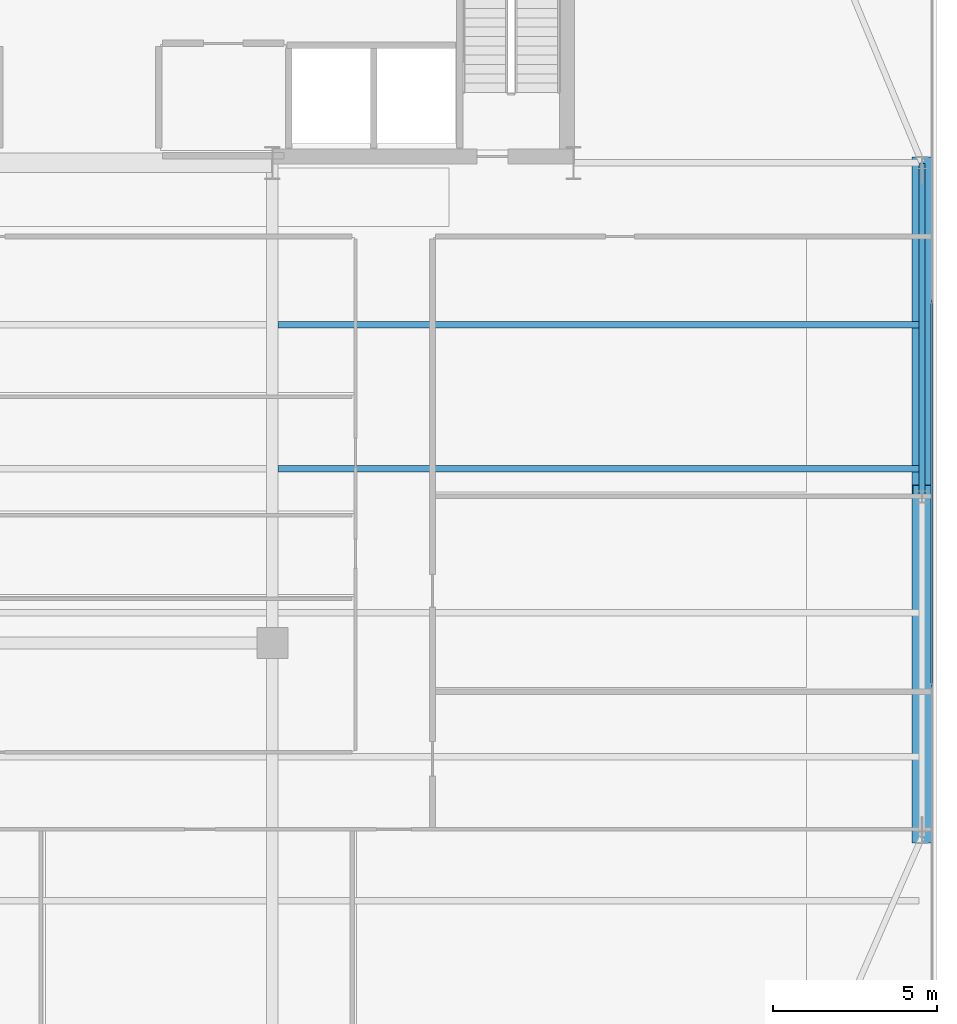
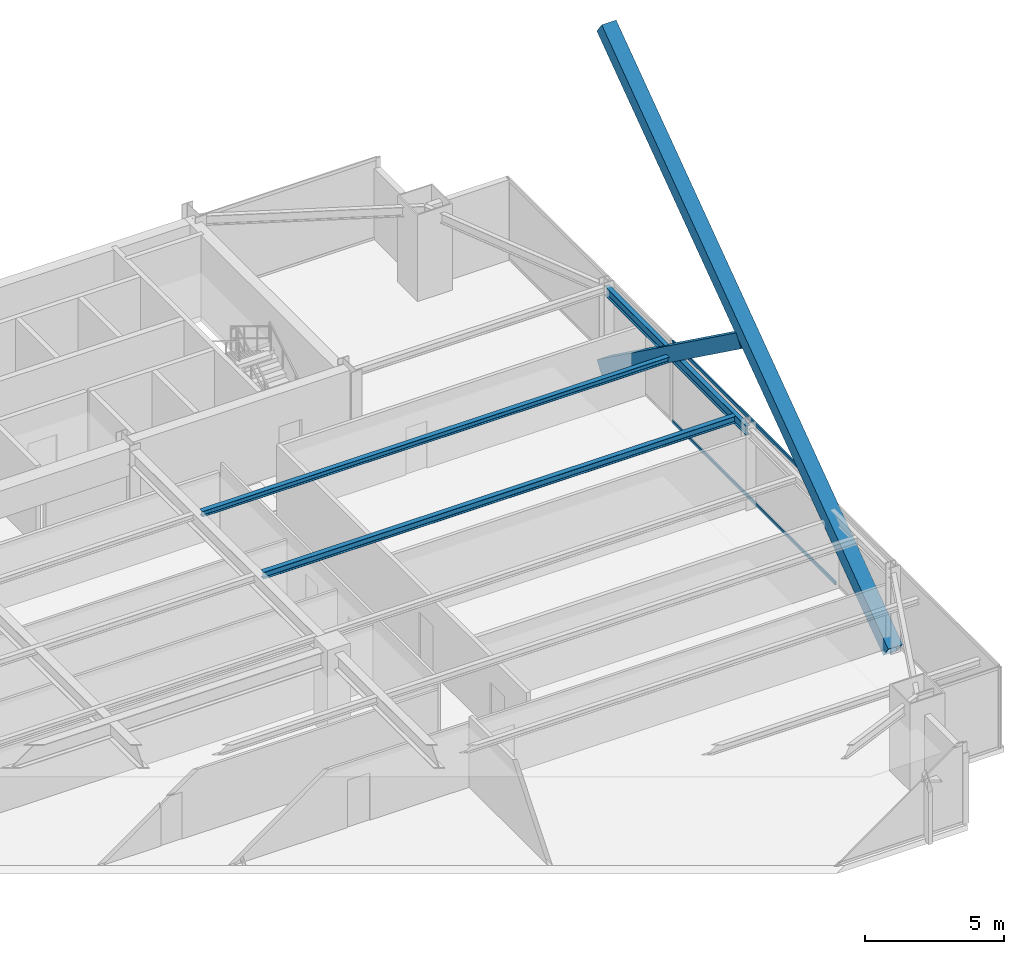
# One storey, part 20 of 37: 4 members, 3 beams, 1 element without a shape of its own.
"""IFC4 building model written with IfcOpenShell, lengths in metres."""

from ifc_helpers import new_model, si_unit, direction, frame, origin, origin_2d, place, context, subcontext, project, spatial, hollow_rectangle, i_section, extrude, source, transform, mapped, material, layer, layer_set, material_profile, profile_set, type_object, type_shapes, element, aggregate, save


model = new_model("IFC4")

# Units and contexts
model_context = context("Model", 3, precision=1e-05, world=origin(), true_north=direction((0.0, 1.0)))
body_context = subcontext(model_context, "Body", "Model", "MODEL_VIEW")
ifc_project = project(units=[si_unit("LENGTHUNIT", "METRE"), si_unit("AREAUNIT", "SQUARE_METRE"), si_unit("VOLUMEUNIT", "CUBIC_METRE"), si_unit("PLANEANGLEUNIT", "RADIAN"), si_unit("MASSUNIT", "GRAM", prefix="KILO")], contexts=[model_context])

# Site, building, storey
site_placement = place(None, origin())
site = spatial("IfcSite", under=ifc_project, at=site_placement, CompositionType="ELEMENT")
building_placement = place(site_placement, origin())
building = spatial("IfcBuilding", under=site, at=building_placement, Name="Varnel Quay Broadcast Tower", CompositionType="ELEMENT")
storey_placement = place(building_placement, frame((0.0, 0.0, 103.0)))
storey = spatial("IfcBuildingStorey", under=building, at=storey_placement, Name="L24", CompositionType="ELEMENT", Elevation=103.0)

# Beams
ifc_material_1 = material(Name="Structural Steel CSA G40.21 350W", Category="steel")
ifc_material_profile_1 = material_profile(ifc_material_1, i_section(OverallWidth=0.180908203125, OverallDepth=0.4169921875, WebThickness=0.010986328125, FlangeThickness=0.018310546875, FilletRadius=0.011962890625, at=origin_2d()), Name="W410X85")
ifc_profile_set_1 = profile_set([ifc_material_profile_1], Name="Structural Steel CSA G40.21 350W")
beam_type_1 = type_object("IfcBeamType", Name="Beam_W410X85", PredefinedType="SPANDREL", material=ifc_profile_set_1)
shared_shape_1 = source(origin(), body_context, "Body", "SweptSolid", [
    extrude(i_section(OverallWidth=0.180908203125, OverallDepth=0.4169921875, WebThickness=0.010986328125, FlangeThickness=0.018310546875, FilletRadius=0.011962890625, at=origin_2d()), origin(), (0.0, 0.0, 1.0), 10.16015625),
])
type_shapes(beam_type_1, [shared_shape_1])
beam_1_placement = place(storey_placement, frame((63.050048828125, 25.419921875, 3.341552734375), z_axis=(0.0, 1.0, 0.0), x_axis=(-1.0, 0.0, 0.0)))
element("IfcBeam", 1, at=beam_1_placement, inside=storey, type_object=beam_type_1, Name="L24 East Spandrel TC-E2-TC-E3", PredefinedType="SPANDREL", context=body_context, shape_type="MappedRepresentation", body=[
    mapped(shared_shape_1, transform((0.0, 0.0, 0.0), x_axis=(1.0, 0.0, 0.0), y_axis=(0.0, 1.0, 0.0), z_axis=(0.0, 0.0, 1.0), scale=1.0)),
])
ifc_material_profile_2 = material_profile(ifc_material_1, i_section(OverallWidth=0.202880859375, OverallDepth=0.302978515625, WebThickness=0.007568359375, FlangeThickness=0.01318359375, FilletRadius=0.011962890625, at=origin_2d()), Name="W310X60")
ifc_profile_set_2 = profile_set([ifc_material_profile_2], Name="Structural Steel CSA G40.21 350W")
beam_type_2 = type_object("IfcBeamType", Name="Beam_W310X60", PredefinedType="JOIST", material=ifc_profile_set_2)
shared_shape_2 = source(origin(), body_context, "Body", "SweptSolid", [
    extrude(i_section(OverallWidth=0.202880859375, OverallDepth=0.302978515625, WebThickness=0.007568359375, FlangeThickness=0.01318359375, FilletRadius=0.011962890625, at=origin_2d()), origin(), (0.0, 0.0, 1.0), 19.592041015625),
])
type_shapes(beam_type_2, [shared_shape_2])
beam_2_placement = place(storey_placement, frame((43.37255859375, 26.25, 3.3984375), z_axis=(1.0, 0.0, 0.0), x_axis=(0.0, 1.0, 0.0)))
element("IfcBeam", 2, at=beam_2_placement, inside=storey, type_object=beam_type_2, Name="L24 East Floor Joist 5", PredefinedType="JOIST", context=body_context, shape_type="MappedRepresentation", body=[
    mapped(shared_shape_2, transform((0.0, 0.0, 0.0), x_axis=(1.0, 0.0, 0.0), y_axis=(0.0, 1.0, 0.0), z_axis=(0.0, 0.0, 1.0), scale=1.0)),
])
ifc_material_profile_3 = material_profile(ifc_material_1, i_section(OverallWidth=0.201904296875, OverallDepth=0.2470703125, WebThickness=0.00732421875, FlangeThickness=0.010986328125, FilletRadius=0.010986328125, at=origin_2d()), Name="W250X49")
ifc_profile_set_3 = profile_set([ifc_material_profile_3], Name="Structural Steel CSA G40.21 350W")
beam_type_3 = type_object("IfcBeamType", Name="Beam_W250X49", PredefinedType="JOIST", material=ifc_profile_set_3)
shared_shape_3 = source(origin(), body_context, "Body", "SweptSolid", [
    extrude(i_section(OverallWidth=0.201904296875, OverallDepth=0.2470703125, WebThickness=0.00732421875, FlangeThickness=0.010986328125, FilletRadius=0.010986328125, at=origin_2d()), origin(), (0.0, 0.0, 1.0), 19.592041015625),
])
type_shapes(beam_type_3, [shared_shape_3])
beam_3_placement = place(storey_placement, frame((43.37255859375, 30.64990234375, 3.426513671875), z_axis=(1.0, 0.0, 0.0), x_axis=(0.0, 1.0, 0.0)))
element("IfcBeam", 3, at=beam_3_placement, inside=storey, type_object=beam_type_3, Name="L24 East Floor Joist 6", PredefinedType="JOIST", context=body_context, shape_type="MappedRepresentation", body=[
    mapped(shared_shape_3, transform((0.0, 0.0, 0.0), x_axis=(1.0, 0.0, 0.0), y_axis=(0.0, 1.0, 0.0), z_axis=(0.0, 0.0, 1.0), scale=1.0)),
])

# Members
ifc_material_2 = material(Name="Structural Steel CSA G40.21 350WT", Category="steel")
ifc_material_profile_4 = material_profile(ifc_material_2, hollow_rectangle(XDim=0.60009765625, YDim=0.60009765625, WallThickness=0.028076171875, at=origin_2d()), Name="BOX600X600X28")
ifc_profile_set_4 = profile_set([ifc_material_profile_4], Name="Structural Steel CSA G40.21 350WT")
member_type_1 = type_object("IfcMemberType", Name="Brace_BOX600X600X28", PredefinedType="BRACE", material=ifc_profile_set_4)
shared_shape_4 = source(origin(), body_context, "Body", "SweptSolid", [
    extrude(hollow_rectangle(XDim=0.60009765625, YDim=0.60009765625, WallThickness=0.028076171875, at=origin_2d()), origin(), (0.0, 0.0, 1.0), 25.4296875),
])
member_1_placement = place(storey_placement, frame((63.050048828125, 15.0, 0.02001953125), z_axis=(0.0, 0.810080334362, 0.586318899474), x_axis=(-1.0, 0.0, 0.0)))
element("IfcMember", 4, at=member_1_placement, inside=storey, type_object=member_type_1, Name="Zone 2 Mega-Brace E-FT2 Continuous Diag A", PredefinedType="BRACE", context=body_context, shape_type="MappedRepresentation", body=[
    mapped(shared_shape_4, transform((0.0, 0.0, 0.0), x_axis=(1.0, 0.0, 0.0), y_axis=(0.0, 1.0, 0.0), z_axis=(0.0, 0.0, 1.0), scale=1.0)),
])
shared_shape_5 = source(origin(), body_context, "Body", "SweptSolid", [
    extrude(hollow_rectangle(XDim=0.60009765625, YDim=0.60009765625, WallThickness=0.028076171875, at=origin_2d()), origin(), (0.0, 0.0, 1.0), 12.3740234375),
])
type_shapes(member_type_1, [shared_shape_4, shared_shape_5])
member_2_placement = place(storey_placement, frame((63.050048828125, 35.60009765625, 0.02001953125), z_axis=(0.0, -0.810079456088, 0.586320112928), x_axis=(1.0, 0.0, 0.0)))
element("IfcMember", 5, at=member_2_placement, inside=storey, type_object=member_type_1, Name="Zone 2 Mega-Brace E-FT2 Split Diag B1", PredefinedType="BRACE", context=body_context, shape_type="MappedRepresentation", body=[
    mapped(shared_shape_5, transform((0.0, 0.0, 0.0), x_axis=(1.0, 0.0, 0.0), y_axis=(0.0, 1.0, 0.0), z_axis=(0.0, 0.0, 1.0), scale=1.0)),
])

# Curtain wall, members
ifc_material_3 = material(Name="Anodised Bronze Aluminium 6063-T6", Category="aluminium")
ifc_layer = layer(ifc_material_3, 0.18994140625, Name="Anodised Bronze Aluminium 6063-T6")
ifc_layer_set = layer_set([ifc_layer], Name="Anodised Bronze Aluminium 6063-T6")
curtain_wall_type = type_object("IfcCurtainWallType", Name="CW_LowerTower", PredefinedType="NOTDEFINED", material=ifc_layer_set)
curtain_wall_placement = place(storey_placement, origin())
curtain_wall = element("IfcCurtainWall", 6, at=curtain_wall_placement, inside=storey, type_object=curtain_wall_type, Name="L24 East Unitised Curtain Wall", PredefinedType="NOTDEFINED")
ifc_material_profile_5 = material_profile(ifc_material_3, hollow_rectangle(XDim=0.06005859375, YDim=0.14501953125, WallThickness=0.00341796875, at=origin_2d()), Name="ALU60X145X3.5")
ifc_profile_set_5 = profile_set([ifc_material_profile_5], Name="Anodised Bronze Aluminium 6063-T6")
member_type_2 = type_object("IfcMemberType", Name="Tran_CWS-02", PredefinedType="USERDEFINED", material=ifc_profile_set_5)
shared_shape_6 = source(origin(), body_context, "Body", "SweptSolid", [
    extrude(hollow_rectangle(XDim=0.06005859375, YDim=0.14501953125, WallThickness=0.00341796875, at=origin_2d()), origin(), (0.0, 0.0, 1.0), 11.72998046875),
])
type_shapes(member_type_2, [shared_shape_6])
member_3_placement = place(storey_placement, frame((63.35009765625, 19.635009765625, 0.030029296875), z_axis=(0.0, 1.0, 0.0), x_axis=(-1.0, 0.0, 0.0)))
member_3 = element("IfcMember", 7, at=member_3_placement, type_object=member_type_2, Name="CWS-02 transom 2.1", ObjectType="TRANSOM", PredefinedType="USERDEFINED", context=body_context, shape_type="MappedRepresentation", body=[
    mapped(shared_shape_6, transform((0.0, 0.0, 0.0), x_axis=(1.0, 0.0, 0.0), y_axis=(0.0, 1.0, 0.0), z_axis=(0.0, 0.0, 1.0), scale=1.0)),
])
member_4_placement = place(storey_placement, frame((63.35009765625, 19.635009765625, 3.52001953125), z_axis=(0.0, 1.0, 0.0), x_axis=(-1.0, 0.0, 0.0)))
member_4 = element("IfcMember", 8, at=member_4_placement, type_object=member_type_2, Name="CWS-02 transom 2.2", ObjectType="TRANSOM", PredefinedType="USERDEFINED", context=body_context, shape_type="MappedRepresentation", body=[
    mapped(shared_shape_6, transform((0.0, 0.0, 0.0), x_axis=(1.0, 0.0, 0.0), y_axis=(0.0, 1.0, 0.0), z_axis=(0.0, 0.0, 1.0), scale=1.0)),
])
aggregate(curtain_wall, [member_3, member_4])

save(model, "model.ifc")
